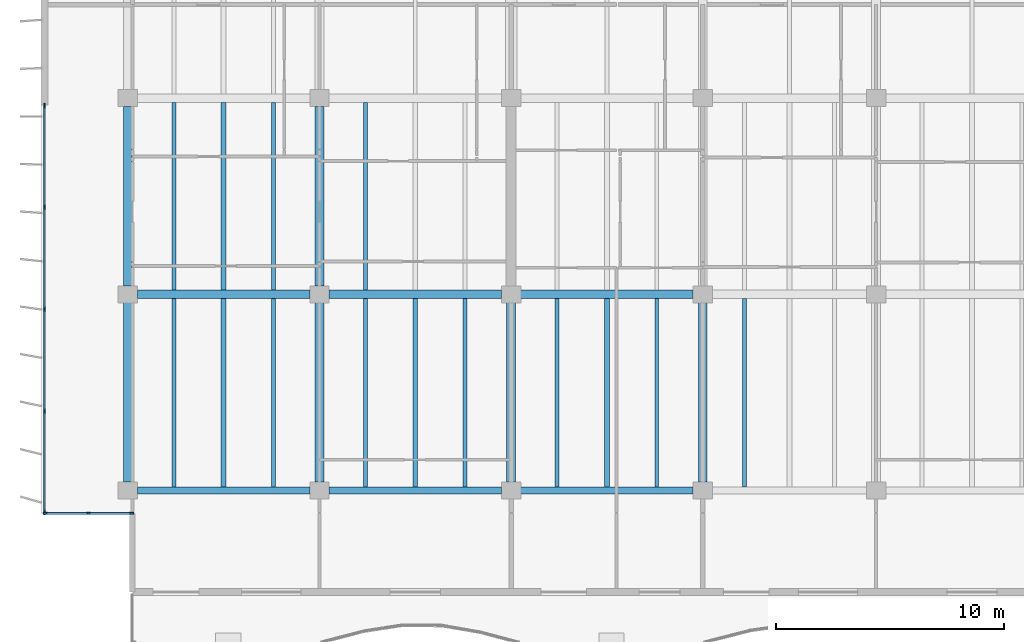
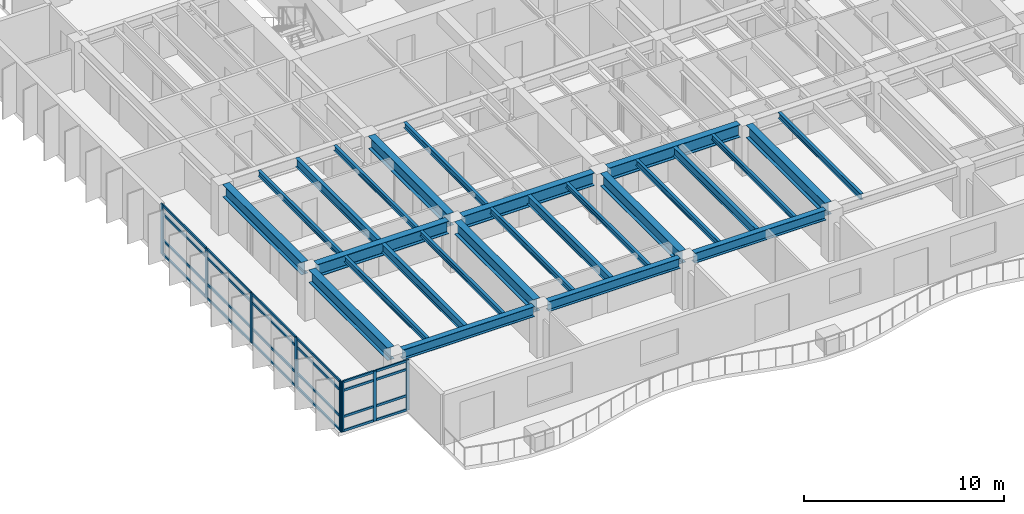
# One storey, part 2 of 19: 32 members, 26 beams, 2 elements without a shape of their own.
"""IFC4 building model written with IfcOpenShell, lengths in metres."""

import ifcopenshell
import ifcopenshell.guid

model = None  # the IFC model being written
_history = None  # IfcOwnerHistory: only IFC2X3 demands one
_inside = {}  # id of a spatial element -> (the spatial element, [elements in it])
_under = {}  # id of a project, library or spatial element -> (it, [spatial elements below it])
_declared = {}  # id of a project -> (the project, [libraries it declares])
_typed = {}  # id of a type object -> (the type object, [elements of that type])
_made_of = {}  # id of a material, layer set ... -> (it, [elements and type objects made of it])


def new_model(schema):
    """Start an empty IFC model of exactly this schema.

    Asked for "IFC4X3", IfcOpenShell would pick the latest addendum, in which some entities
    have other attributes; the version numbers below select the first issue.
    IFC2X3 requires an IfcOwnerHistory on every rooted entity: one is made here for all.
    """
    global model, _history
    if schema == "IFC4X3":
        model = ifcopenshell.file(schema_version=(4, 3, 0, 0))
    else:
        model = ifcopenshell.file(schema=schema)
    _inside.clear()
    _under.clear()
    _declared.clear()
    _typed.clear()
    _made_of.clear()
    _history = None
    if model.schema == "IFC2X3":
        org = make("IfcOrganization", Name="unknown")
        user = make(
            "IfcPersonAndOrganization",
            ThePerson=make("IfcPerson", FamilyName="unknown"),
            TheOrganization=org,
        )
        app = make(
            "IfcApplication",
            ApplicationDeveloper=org,
            Version="unknown",
            ApplicationFullName="unknown",
            ApplicationIdentifier="unknown",
        )
        _history = make(
            "IfcOwnerHistory",
            OwningUser=user,
            OwningApplication=app,
            ChangeAction="ADDED",
            CreationDate=0,
        )
    return model


def make(cls, **values):
    """One entity of the class cls with the attributes given. An attribute that is None is left unset."""
    return model.create_entity(
        cls, **{name: value for name, value in values.items() if value is not None}
    )


def rooted(cls, **values):
    """An entity with a GlobalId (a new one), such as an element, a storey or a relation."""
    return make(cls, GlobalId=ifcopenshell.guid.new(), OwnerHistory=_history, **values)


def si_unit(unit_type, name, prefix=None):
    """IfcSIUnit, for example si_unit("LENGTHUNIT", "METRE", prefix="MILLI")."""
    return make("IfcSIUnit", UnitType=unit_type, Prefix=prefix, Name=name)


def assignment(units):
    """IfcUnitAssignment: the units of a project."""
    return None if units is None else make("IfcUnitAssignment", Units=units)


def point(xyz):
    """IfcCartesianPoint."""
    return None if xyz is None else make("IfcCartesianPoint", Coordinates=xyz)


def direction(xyz):
    """IfcDirection."""
    return None if xyz is None else make("IfcDirection", DirectionRatios=xyz)


def frame(location, z_axis=None, x_axis=None):
    """IfcAxis2Placement3D, a coordinate frame: its origin and axes. An axis left out is left unset."""
    return make(
        "IfcAxis2Placement3D",
        Location=point(location),
        Axis=direction(z_axis),
        RefDirection=direction(x_axis),
    )


def frame_2d(location, x_axis=None):
    """IfcAxis2Placement2D, a coordinate frame in the plane: its origin and x axis."""
    return make(
        "IfcAxis2Placement2D", Location=point(location), RefDirection=direction(x_axis)
    )


def origin():
    """The frame at (0, 0, 0) with its axes left unset."""
    return frame((0.0, 0.0, 0.0))


def origin_2d():
    """The frame at (0, 0) in the plane with its x axis left unset."""
    return frame_2d((0.0, 0.0))


def place(relative_to, where):
    """IfcLocalPlacement: puts the frame where relative to a parent placement (None: the world)."""
    return make(
        "IfcLocalPlacement", PlacementRelTo=relative_to, RelativePlacement=where
    )


def context(
    kind, dimensions, precision=None, world=None, true_north=None, identifier=None
):
    """IfcGeometricRepresentationContext, for example the 3D "Model" context."""
    return make(
        "IfcGeometricRepresentationContext",
        ContextIdentifier=identifier,
        ContextType=kind,
        CoordinateSpaceDimension=dimensions,
        Precision=precision,
        WorldCoordinateSystem=world,
        TrueNorth=true_north,
    )


def subcontext(parent, identifier, kind, view, scale=None):
    """IfcGeometricRepresentationSubContext, for example "Body" below "Model"."""
    return make(
        "IfcGeometricRepresentationSubContext",
        ContextIdentifier=identifier,
        ContextType=kind,
        ParentContext=parent,
        TargetScale=scale,
        TargetView=view,
    )


def project(units=None, contexts=None):
    """IfcProject with its units and contexts."""
    return rooted(
        "IfcProject",
        Name="project",
        RepresentationContexts=contexts,
        UnitsInContext=assignment(units),
    )


def spatial(cls, under=None, at=None, **own):
    """A site, building, storey or space (cls), placed at a placement, below another one or the project."""
    s = rooted(cls, ObjectPlacement=at, **own)
    if under is not None:
        _under.setdefault(under.id(), (under, []))[1].append(s)
    return s


def profile(cls, at=None, kind="AREA", **sizes):
    """A parametric profile (cls). Its sizes go by their IFC names, for example OverallWidth=200.0."""
    return make(cls, ProfileType=kind, Position=at, **sizes)


def rectangle(**sizes):
    """IfcRectangleProfileDef."""
    return profile("IfcRectangleProfileDef", **sizes)


def i_section(**sizes):
    """IfcIShapeProfileDef."""
    return profile("IfcIShapeProfileDef", **sizes)


def extrude(swept, where, along, depth):
    """IfcExtrudedAreaSolid: the profile swept, set in the frame where, extruded along a direction by depth."""
    return make(
        "IfcExtrudedAreaSolid",
        SweptArea=swept,
        Position=where,
        ExtrudedDirection=direction(along),
        Depth=depth,
    )


def shape(context_of_items, identifier, shape_type, items):
    """IfcShapeRepresentation: the items that make up one representation, for example the "Body"."""
    return make(
        "IfcShapeRepresentation",
        ContextOfItems=context_of_items,
        RepresentationIdentifier=identifier,
        RepresentationType=shape_type,
        Items=items,
    )


def material(Name=None, Category=None):
    """IfcMaterial."""
    return make("IfcMaterial", Name=Name, Category=Category)


def layer(
    of_material, thickness, ventilated=None, Name=None, Category=None, Priority=None
):
    """IfcMaterialLayer: one layer of a wall or slab, of a material (None: an air gap)."""
    return make(
        "IfcMaterialLayer",
        Material=of_material,
        LayerThickness=thickness,
        IsVentilated=ventilated,
        Name=Name,
        Category=Category,
        Priority=Priority,
    )


def layer_set(layers, Name=None):
    """IfcMaterialLayerSet."""
    return make("IfcMaterialLayerSet", MaterialLayers=layers, LayerSetName=Name)


def material_profile(
    of_material, cross_section, Name=None, Category=None, Priority=None
):
    """IfcMaterialProfile: a cross section and its material."""
    return make(
        "IfcMaterialProfile",
        Name=Name,
        Material=of_material,
        Profile=cross_section,
        Priority=Priority,
        Category=Category,
    )


def profile_set(profiles, Name=None, composite=None):
    """IfcMaterialProfileSet."""
    return make(
        "IfcMaterialProfileSet",
        Name=Name,
        MaterialProfiles=profiles,
        CompositeProfile=composite,
    )


def made_of(thing, what):
    """Note that an element or type object is made of a material, layer set ...; save() writes the relation."""
    if what is not None:
        _made_of.setdefault(what.id(), (what, []))[1].append(thing)
    return thing


def type_object(cls, material=None, **own):
    """A type object (cls), such as IfcWallType, which elements share."""
    return made_of(rooted(cls, **own), material)


def element(
    cls,
    number,
    at=None,
    inside=None,
    cuts=None,
    type_object=None,
    material=None,
    context=None,
    identifier="Body",
    shape_type=None,
    held_by="IfcProductDefinitionShape",
    body=None,
    shapes=None,
    **own,
):
    """One element of the class cls, such as IfcWall. Its Tag is "e" and its number.

    at: its placement. inside: the storey or other place that contains it. cuts: it is an
    opening in that element (IfcRelVoidsElement). A single representation is given by context,
    identifier, shape_type and body (its items); several are given by shapes. held_by: the class
    of the entity that holds the representations. save() writes the other relations.
    """
    e = rooted(cls, Tag="e%d" % number, ObjectPlacement=at, **own)
    if body is not None:
        shapes = [shape(context, identifier, shape_type, body)]
    if shapes is not None:
        e.Representation = make(held_by, Representations=shapes)
    if inside is not None:
        _inside.setdefault(inside.id(), (inside, []))[1].append(e)
    if cuts is not None:
        rooted(
            "IfcRelVoidsElement", RelatingBuildingElement=cuts, RelatedOpeningElement=e
        )
    if type_object is not None:
        _typed.setdefault(type_object.id(), (type_object, []))[1].append(e)
    return made_of(e, material)


def aggregate(whole, parts):
    """IfcRelAggregates: a whole, such as a stair, and the parts it consists of."""
    return rooted("IfcRelAggregates", RelatingObject=whole, RelatedObjects=parts)


def save(model, path):
    """Write the relations noted so far, then the file.

    IfcRelAggregates (storeys below a building ...), IfcRelContainedInSpatialStructure (elements
    in a storey), IfcRelDefinesByType, IfcRelAssociatesMaterial and IfcRelDeclares: one each for
    every whole, place, type object, material and project.
    """
    for whole, parts in _under.values():
        aggregate(whole, parts)
    for where, things in _inside.values():
        rooted(
            "IfcRelContainedInSpatialStructure",
            RelatedElements=things,
            RelatingStructure=where,
        )
    for kind, things in _typed.values():
        rooted("IfcRelDefinesByType", RelatedObjects=things, RelatingType=kind)
    for what, things in _made_of.values():
        rooted("IfcRelAssociatesMaterial", RelatedObjects=things, RelatingMaterial=what)
    for by, libraries in _declared.values():
        rooted("IfcRelDeclares", RelatingContext=by, RelatedDefinitions=libraries)
    model.write(path)


model = new_model("IFC4")

# Units and contexts
model_context = context("Model", 3, precision=1e-05, world=origin(), true_north=direction((0.0, 1.0)))
body_context = subcontext(model_context, "Body", "Model", "MODEL_VIEW")
ifc_project = project(units=[si_unit("LENGTHUNIT", "METRE"), si_unit("AREAUNIT", "SQUARE_METRE"), si_unit("VOLUMEUNIT", "CUBIC_METRE"), si_unit("PLANEANGLEUNIT", "RADIAN"), si_unit("MASSUNIT", "GRAM", prefix="KILO")], contexts=[model_context])

# Site, building, storey
site_placement = place(None, origin())
site = spatial("IfcSite", under=ifc_project, at=site_placement, CompositionType="ELEMENT")
building_placement = place(site_placement, origin())
building = spatial("IfcBuilding", under=site, at=building_placement, Name="Caelmar Bay Residences", CompositionType="ELEMENT")
storey_placement = place(building_placement, frame((0.0, 0.0, 191.699951171875)))
storey = spatial("IfcBuildingStorey", under=building, at=storey_placement, Name="L53", CompositionType="ELEMENT", Elevation=191.699951171875)

# Beams
ifc_material_1 = material(Name="Steel ASTM A992 Grade 50", Category="steel")
ifc_material_profile_1 = material_profile(ifc_material_1, i_section(OverallWidth=0.381103515625, OverallDepth=0.77197265625, WebThickness=0.0166015625, FlangeThickness=0.027099609375, FilletRadius=0.0166015625, at=origin_2d()), Name="W30X173")
ifc_profile_set_1 = profile_set([ifc_material_profile_1], Name="Steel ASTM A992 Grade 50")
beam_type_1 = type_object("IfcBeamType", Name="BM-GRD-W30X173", PredefinedType="BEAM", material=ifc_profile_set_1)
beam_1_placement = place(storey_placement, frame((10.31494140625, 20.800048828125, 2.6640625), z_axis=(1.0, 0.0, 0.0), x_axis=(0.0, 1.0, 0.0)))
element("IfcBeam", 1, at=beam_1_placement, inside=storey, type_object=beam_type_1, Name="L53 East-West Girder Y=20.80 (9.9-18.3)", PredefinedType="BEAM", context=body_context, shape_type="SweptSolid", body=[
    extrude(i_section(OverallWidth=0.381103515625, OverallDepth=0.77197265625, WebThickness=0.0166015625, FlangeThickness=0.027099609375, FilletRadius=0.0166015625, at=origin_2d()), origin(), (0.0, 0.0, 1.0), 7.570068359375),
])
beam_2_placement = place(storey_placement, frame((18.715087890625, 20.800048828125, 2.6640625), z_axis=(1.0, 0.0, 0.0), x_axis=(0.0, 1.0, 0.0)))
element("IfcBeam", 2, at=beam_2_placement, inside=storey, type_object=beam_type_1, Name="L53 East-West Girder Y=20.80 (18.3-26.7)", PredefinedType="BEAM", context=body_context, shape_type="SweptSolid", body=[
    extrude(i_section(OverallWidth=0.381103515625, OverallDepth=0.77197265625, WebThickness=0.0166015625, FlangeThickness=0.027099609375, FilletRadius=0.0166015625, at=origin_2d()), origin(), (0.0, 0.0, 1.0), 7.56982421875),
])
beam_3_placement = place(storey_placement, frame((27.114990234375, 20.800048828125, 2.6640625), z_axis=(1.0, 0.0, 0.0), x_axis=(0.0, 1.0, 0.0)))
element("IfcBeam", 3, at=beam_3_placement, inside=storey, type_object=beam_type_1, Name="L53 East-West Girder Y=20.80 (26.7-35.1)", PredefinedType="BEAM", context=body_context, shape_type="SweptSolid", body=[
    extrude(i_section(OverallWidth=0.381103515625, OverallDepth=0.77197265625, WebThickness=0.0166015625, FlangeThickness=0.027099609375, FilletRadius=0.0166015625, at=origin_2d()), origin(), (0.0, 0.0, 1.0), 7.570068359375),
])
beam_4_placement = place(storey_placement, frame((9.89990234375, 12.56494140625, 2.6640625), z_axis=(0.0, 1.0, 0.0), x_axis=(-1.0, 0.0, 0.0)))
element("IfcBeam", 4, at=beam_4_placement, inside=storey, type_object=beam_type_1, Name="L53 North-South Girder X=9.90 (12.2-20.8)", PredefinedType="BEAM", context=body_context, shape_type="SweptSolid", body=[
    extrude(i_section(OverallWidth=0.381103515625, OverallDepth=0.77197265625, WebThickness=0.0166015625, FlangeThickness=0.027099609375, FilletRadius=0.0166015625, at=origin_2d()), origin(), (0.0, 0.0, 1.0), 7.8701171875),
])
beam_5_placement = place(storey_placement, frame((9.89990234375, 21.1650390625, 2.6640625), z_axis=(0.0, 1.0, 0.0), x_axis=(-1.0, 0.0, 0.0)))
element("IfcBeam", 5, at=beam_5_placement, inside=storey, type_object=beam_type_1, Name="L53 North-South Girder X=9.90 (20.8-29.4)", PredefinedType="BEAM", context=body_context, shape_type="SweptSolid", body=[
    extrude(i_section(OverallWidth=0.381103515625, OverallDepth=0.77197265625, WebThickness=0.0166015625, FlangeThickness=0.027099609375, FilletRadius=0.0166015625, at=origin_2d()), origin(), (0.0, 0.0, 1.0), 7.869873046875),
])
beam_6_placement = place(storey_placement, frame((18.300048828125, 12.56494140625, 2.6640625), z_axis=(0.0, 1.0, 0.0), x_axis=(-1.0, 0.0, 0.0)))
element("IfcBeam", 6, at=beam_6_placement, inside=storey, type_object=beam_type_1, Name="L53 North-South Girder X=18.30 (12.2-20.8)", PredefinedType="BEAM", context=body_context, shape_type="SweptSolid", body=[
    extrude(i_section(OverallWidth=0.381103515625, OverallDepth=0.77197265625, WebThickness=0.0166015625, FlangeThickness=0.027099609375, FilletRadius=0.0166015625, at=origin_2d()), origin(), (0.0, 0.0, 1.0), 7.8701171875),
])
beam_7_placement = place(storey_placement, frame((18.300048828125, 21.1650390625, 2.6640625), z_axis=(0.0, 1.0, 0.0), x_axis=(-1.0, 0.0, 0.0)))
element("IfcBeam", 7, at=beam_7_placement, inside=storey, type_object=beam_type_1, Name="L53 North-South Girder X=18.30 (20.8-29.4)", PredefinedType="BEAM", context=body_context, shape_type="SweptSolid", body=[
    extrude(i_section(OverallWidth=0.381103515625, OverallDepth=0.77197265625, WebThickness=0.0166015625, FlangeThickness=0.027099609375, FilletRadius=0.0166015625, at=origin_2d()), origin(), (0.0, 0.0, 1.0), 7.869873046875),
])
for number, where, z_axis, x_axis, name in (
    (8, (26.699951171875, 12.56494140625, 2.6640625), (0.0, 1.0, 0.0), (-1.0, 0.0, 0.0), "L53 North-South Girder X=26.70 (12.2-20.8)"),
    (9, (35.10009765625, 12.56494140625, 2.6640625), (0.0, 1.0, 0.0), (-1.0, 0.0, 0.0), "L53 North-South Girder X=35.10 (12.2-20.8)"),
):
    element("IfcBeam", number, at=place(storey_placement, frame(where, z_axis=z_axis, x_axis=x_axis)), inside=storey, type_object=beam_type_1, Name=name, PredefinedType="BEAM", context=body_context, shape_type="SweptSolid", body=[
        extrude(i_section(OverallWidth=0.381103515625, OverallDepth=0.77197265625, WebThickness=0.0166015625, FlangeThickness=0.027099609375, FilletRadius=0.0166015625, at=origin_2d()), origin(), (0.0, 0.0, 1.0), 7.8701171875),
    ])
ifc_material_profile_2 = material_profile(ifc_material_1, i_section(OverallWidth=0.1650390625, OverallDepth=0.31005859375, WebThickness=0.005859375, FlangeThickness=0.009765625, FilletRadius=0.007568359375, at=origin_2d()), Name="W12X26")
ifc_profile_set_2 = profile_set([ifc_material_profile_2], Name="Steel ASTM A992 Grade 50")
beam_type_2 = type_object("IfcBeamType", Name="BM-JST-W12X26", PredefinedType="JOIST", material=ifc_profile_set_2)
for number, where, z_axis, x_axis, name in (
    (10, (16.283935546875, 12.362548828125, 2.89501953125), (0.0, 1.0, 0.0), (-1.0, 0.0, 0.0), "L53 Composite Floor Joist 3"),
    (11, (24.68408203125, 12.362548828125, 2.89501953125), (0.0, 1.0, 0.0), (-1.0, 0.0, 0.0), "L53 Composite Floor Joist 6"),
    (12, (33.083984375, 12.362548828125, 2.89501953125), (0.0, 1.0, 0.0), (-1.0, 0.0, 0.0), "L53 Composite Floor Joist 9"),
):
    element("IfcBeam", number, at=place(storey_placement, frame(where, z_axis=z_axis, x_axis=x_axis)), inside=storey, type_object=beam_type_2, Name=name, PredefinedType="JOIST", context=body_context, shape_type="SweptSolid", body=[
        extrude(i_section(OverallWidth=0.1650390625, OverallDepth=0.31005859375, WebThickness=0.005859375, FlangeThickness=0.009765625, FilletRadius=0.007568359375, at=origin_2d()), origin(), (0.0, 0.0, 1.0), 8.2470703125),
    ])
beam_8_placement = place(storey_placement, frame((16.283935546875, 20.990478515625, 2.89501953125), z_axis=(0.0, 1.0, 0.0), x_axis=(-1.0, 0.0, 0.0)))
element("IfcBeam", 13, at=beam_8_placement, inside=storey, type_object=beam_type_2, Name="L53 Composite Floor Joist 24", PredefinedType="JOIST", context=body_context, shape_type="SweptSolid", body=[
    extrude(i_section(OverallWidth=0.1650390625, OverallDepth=0.31005859375, WebThickness=0.005859375, FlangeThickness=0.009765625, FilletRadius=0.007568359375, at=origin_2d()), origin(), (0.0, 0.0, 1.0), 8.218994140625),
])
ifc_material_profile_3 = material_profile(ifc_material_1, i_section(OverallWidth=0.1708984375, OverallDepth=0.35595703125, WebThickness=0.007080078125, FlangeThickness=0.01171875, FilletRadius=0.007568359375, at=origin_2d()), Name="W14X34")
ifc_profile_set_3 = profile_set([ifc_material_profile_3], Name="Steel ASTM A992 Grade 50")
beam_type_3 = type_object("IfcBeamType", Name="BM-JST-W14X34", PredefinedType="JOIST", material=ifc_profile_set_3)
for number, where, z_axis, x_axis, name in (
    (14, (11.916015625, 12.362548828125, 2.8720703125), (0.0, 1.0, 0.0), (-1.0, 0.0, 0.0), "L53 Composite Floor Joist 1"),
    (15, (20.31591796875, 12.362548828125, 2.8720703125), (0.0, 1.0, 0.0), (-1.0, 0.0, 0.0), "L53 Composite Floor Joist 4"),
    (16, (28.716064453125, 12.362548828125, 2.8720703125), (0.0, 1.0, 0.0), (-1.0, 0.0, 0.0), "L53 Composite Floor Joist 7"),
    (17, (36.924072265625, 12.362548828125, 2.8720703125), (0.0, 1.0, 0.0), (-1.0, 0.0, 0.0), "L53 Composite Floor Joist 10"),
):
    element("IfcBeam", number, at=place(storey_placement, frame(where, z_axis=z_axis, x_axis=x_axis)), inside=storey, type_object=beam_type_3, Name=name, PredefinedType="JOIST", context=body_context, shape_type="SweptSolid", body=[
        extrude(i_section(OverallWidth=0.1708984375, OverallDepth=0.35595703125, WebThickness=0.007080078125, FlangeThickness=0.01171875, FilletRadius=0.007568359375, at=origin_2d()), origin(), (0.0, 0.0, 1.0), 8.2470703125),
    ])
for number, where, z_axis, x_axis, name in (
    (18, (11.916015625, 20.990478515625, 2.8720703125), (0.0, 1.0, 0.0), (-1.0, 0.0, 0.0), "L53 Composite Floor Joist 22"),
    (19, (20.31591796875, 20.990478515625, 2.8720703125), (0.0, 1.0, 0.0), (-1.0, 0.0, 0.0), "L53 Composite Floor Joist 25"),
):
    element("IfcBeam", number, at=place(storey_placement, frame(where, z_axis=z_axis, x_axis=x_axis)), inside=storey, type_object=beam_type_3, Name=name, PredefinedType="JOIST", context=body_context, shape_type="SweptSolid", body=[
        extrude(i_section(OverallWidth=0.1708984375, OverallDepth=0.35595703125, WebThickness=0.007080078125, FlangeThickness=0.01171875, FilletRadius=0.007568359375, at=origin_2d()), origin(), (0.0, 0.0, 1.0), 8.218994140625),
    ])
ifc_material_profile_4 = material_profile(ifc_material_1, i_section(OverallWidth=0.2099609375, OverallDepth=0.535888671875, WebThickness=0.010986328125, FlangeThickness=0.017333984375, FilletRadius=0.0126953125, at=origin_2d()), Name="W21X68")
ifc_profile_set_4 = profile_set([ifc_material_profile_4], Name="Steel ASTM A992 Grade 50")
beam_type_4 = type_object("IfcBeamType", Name="BM-JST-W21X68", PredefinedType="JOIST", material=ifc_profile_set_4)
for number, where, z_axis, x_axis, name in (
    (20, (14.10009765625, 12.362548828125, 2.781982421875), (0.0, 1.0, 0.0), (-1.0, 0.0, 0.0), "L53 Composite Floor Joist 2"),
    (21, (22.5, 12.362548828125, 2.781982421875), (0.0, 1.0, 0.0), (-1.0, 0.0, 0.0), "L53 Composite Floor Joist 5"),
    (22, (30.89990234375, 12.362548828125, 2.781982421875), (0.0, 1.0, 0.0), (-1.0, 0.0, 0.0), "L53 Composite Floor Joist 8"),
):
    element("IfcBeam", number, at=place(storey_placement, frame(where, z_axis=z_axis, x_axis=x_axis)), inside=storey, type_object=beam_type_4, Name=name, PredefinedType="JOIST", context=body_context, shape_type="SweptSolid", body=[
        extrude(i_section(OverallWidth=0.2099609375, OverallDepth=0.535888671875, WebThickness=0.010986328125, FlangeThickness=0.017333984375, FilletRadius=0.0126953125, at=origin_2d()), origin(), (0.0, 0.0, 1.0), 8.2470703125),
    ])
beam_9_placement = place(storey_placement, frame((14.10009765625, 20.990478515625, 2.781982421875), z_axis=(0.0, 1.0, 0.0), x_axis=(-1.0, 0.0, 0.0)))
element("IfcBeam", 23, at=beam_9_placement, inside=storey, type_object=beam_type_4, Name="L53 Composite Floor Joist 23", PredefinedType="JOIST", context=body_context, shape_type="SweptSolid", body=[
    extrude(i_section(OverallWidth=0.2099609375, OverallDepth=0.535888671875, WebThickness=0.010986328125, FlangeThickness=0.017333984375, FilletRadius=0.0126953125, at=origin_2d()), origin(), (0.0, 0.0, 1.0), 8.218994140625),
])
ifc_material_profile_5 = material_profile(ifc_material_1, i_section(OverallWidth=0.324951171875, OverallDepth=0.616943359375, WebThickness=0.013916015625, FlangeThickness=0.021484375, FilletRadius=0.0126953125, at=origin_2d()), Name="W24X117")
ifc_profile_set_5 = profile_set([ifc_material_profile_5], Name="Steel ASTM A992 Grade 50")
beam_type_5 = type_object("IfcBeamType", Name="BM-SPN-W24X117", PredefinedType="SPANDREL", material=ifc_profile_set_5)
beam_10_placement = place(storey_placement, frame((10.31494140625, 12.199951171875, 2.741455078125), z_axis=(1.0, 0.0, 0.0), x_axis=(0.0, 1.0, 0.0)))
element("IfcBeam", 24, at=beam_10_placement, inside=storey, type_object=beam_type_5, Name="L53 East-West Girder Y=12.20 (9.9-18.3)", PredefinedType="SPANDREL", context=body_context, shape_type="SweptSolid", body=[
    extrude(i_section(OverallWidth=0.324951171875, OverallDepth=0.616943359375, WebThickness=0.013916015625, FlangeThickness=0.021484375, FilletRadius=0.0126953125, at=origin_2d()), origin(), (0.0, 0.0, 1.0), 7.570068359375),
])
beam_11_placement = place(storey_placement, frame((18.715087890625, 12.199951171875, 2.741455078125), z_axis=(1.0, 0.0, 0.0), x_axis=(0.0, 1.0, 0.0)))
element("IfcBeam", 25, at=beam_11_placement, inside=storey, type_object=beam_type_5, Name="L53 East-West Girder Y=12.20 (18.3-26.7)", PredefinedType="SPANDREL", context=body_context, shape_type="SweptSolid", body=[
    extrude(i_section(OverallWidth=0.324951171875, OverallDepth=0.616943359375, WebThickness=0.013916015625, FlangeThickness=0.021484375, FilletRadius=0.0126953125, at=origin_2d()), origin(), (0.0, 0.0, 1.0), 7.56982421875),
])
beam_12_placement = place(storey_placement, frame((27.114990234375, 12.199951171875, 2.741455078125), z_axis=(1.0, 0.0, 0.0), x_axis=(0.0, 1.0, 0.0)))
element("IfcBeam", 26, at=beam_12_placement, inside=storey, type_object=beam_type_5, Name="L53 East-West Girder Y=12.20 (26.7-35.1)", PredefinedType="SPANDREL", context=body_context, shape_type="SweptSolid", body=[
    extrude(i_section(OverallWidth=0.324951171875, OverallDepth=0.616943359375, WebThickness=0.013916015625, FlangeThickness=0.021484375, FilletRadius=0.0126953125, at=origin_2d()), origin(), (0.0, 0.0, 1.0), 7.570068359375),
])

# Curtain wall, members
ifc_material_2 = material(Name="Anodised bronze aluminium 6063-T6 and laminated glass", Category="aluminium")
ifc_layer_1 = layer(ifc_material_2, 0.179931640625)
ifc_layer_set_1 = layer_set([ifc_layer_1], Name="Anodised bronze aluminium 6063-T6 and laminated glass")
curtain_wall_type_1 = type_object("IfcCurtainWallType", Name="CW6-NTC", PredefinedType="NOTDEFINED", material=ifc_layer_set_1)
curtain_wall_1_placement = place(storey_placement, origin())
curtain_wall_1 = element("IfcCurtainWall", 27, at=curtain_wall_1_placement, inside=storey, type_object=curtain_wall_type_1, Name="CW6 curtain wall L53", PredefinedType="NOTDEFINED")
ifc_material_3 = material(Name="Anodised bronze aluminium 6063-T6", Category="aluminium")
ifc_material_profile_6 = material_profile(ifc_material_3, rectangle(XDim=0.080078125, YDim=0.179931640625, at=origin_2d()), Name="CWM-80X180")
ifc_profile_set_6 = profile_set([ifc_material_profile_6], Name="Anodised bronze aluminium 6063-T6")
member_type_1 = type_object("IfcMemberType", Name="CWM-180", PredefinedType="MULLION", material=ifc_profile_set_6)
member_1_placement = place(storey_placement, frame((6.2900390625, 11.199951171875, 0.0), z_axis=(0.0, 0.0, 1.0), x_axis=(0.0, 1.0, 0.0)))
member_1 = element("IfcMember", 28, at=member_1_placement, type_object=member_type_1, Name="CW6 mullion 1", PredefinedType="MULLION", context=body_context, shape_type="SweptSolid", body=[
    extrude(rectangle(XDim=0.080078125, YDim=0.179931640625, at=origin_2d()), origin(), (0.0, 0.0, 1.0), 3.050048828125),
])
member_2_placement = place(storey_placement, frame((8.175048828125, 11.199951171875, 0.0), z_axis=(0.0, 0.0, 1.0), x_axis=(0.0, 1.0, 0.0)))
member_2 = element("IfcMember", 29, at=member_2_placement, type_object=member_type_1, Name="CW6 mullion 2", PredefinedType="MULLION", context=body_context, shape_type="SweptSolid", body=[
    extrude(rectangle(XDim=0.080078125, YDim=0.179931640625, at=origin_2d()), origin(), (0.0, 0.0, 1.0), 3.050048828125),
])
member_3_placement = place(storey_placement, frame((10.06005859375, 11.199951171875, 0.0), z_axis=(0.0, 0.0, 1.0), x_axis=(0.0, 1.0, 0.0)))
member_3 = element("IfcMember", 30, at=member_3_placement, type_object=member_type_1, Name="CW6 mullion 3", PredefinedType="MULLION", context=body_context, shape_type="SweptSolid", body=[
    extrude(rectangle(XDim=0.080078125, YDim=0.179931640625, at=origin_2d()), origin(), (0.0, 0.0, 1.0), 3.050048828125),
])

ifc_layer_2 = layer(ifc_material_2, 0.179931640625)
ifc_layer_set_2 = layer_set([ifc_layer_2], Name="Anodised bronze aluminium 6063-T6 and laminated glass")
curtain_wall_type_2 = type_object("IfcCurtainWallType", Name="CW4-Z3", PredefinedType="NOTDEFINED", material=ifc_layer_set_2)
curtain_wall_2_placement = place(storey_placement, origin())
curtain_wall_2 = element("IfcCurtainWall", 31, at=curtain_wall_2_placement, inside=storey, type_object=curtain_wall_type_2, Name="CW4 curtain wall L53", PredefinedType="NOTDEFINED")
ifc_material_profile_7 = material_profile(ifc_material_3, rectangle(XDim=0.080078125, YDim=0.219970703125, at=origin_2d()), Name="CWM-80X220")
ifc_profile_set_7 = profile_set([ifc_material_profile_7], Name="Anodised bronze aluminium 6063-T6")
member_type_2 = type_object("IfcMemberType", Name="CWM-220", PredefinedType="MULLION", material=ifc_profile_set_7)
member_4_placement = place(storey_placement, frame((6.25, 11.239990234375, 0.0), z_axis=(0.0, 0.0, 1.0), x_axis=(-1.0, 0.0, 0.0)))
member_4 = element("IfcMember", 32, at=member_4_placement, type_object=member_type_2, Name="CW4 mullion 1", PredefinedType="MULLION", context=body_context, shape_type="SweptSolid", body=[
    extrude(rectangle(XDim=0.080078125, YDim=0.219970703125, at=origin_2d()), origin(), (0.0, 0.0, 1.0), 3.050048828125),
])
member_5_placement = place(storey_placement, frame((6.25, 15.675048828125, 0.0), z_axis=(0.0, 0.0, 1.0), x_axis=(-1.0, 0.0, 0.0)))
member_5 = element("IfcMember", 33, at=member_5_placement, type_object=member_type_2, Name="CW4 mullion 2", PredefinedType="MULLION", context=body_context, shape_type="SweptSolid", body=[
    extrude(rectangle(XDim=0.080078125, YDim=0.219970703125, at=origin_2d()), origin(), (0.0, 0.0, 1.0), 3.050048828125),
])
member_6_placement = place(storey_placement, frame((6.25, 20.14990234375, 0.0), z_axis=(0.0, 0.0, 1.0), x_axis=(-1.0, 0.0, 0.0)))
member_6 = element("IfcMember", 34, at=member_6_placement, type_object=member_type_2, Name="CW4 mullion 3", PredefinedType="MULLION", context=body_context, shape_type="SweptSolid", body=[
    extrude(rectangle(XDim=0.080078125, YDim=0.219970703125, at=origin_2d()), origin(), (0.0, 0.0, 1.0), 3.050048828125),
])
member_7_placement = place(storey_placement, frame((6.25, 24.625, 0.0), z_axis=(0.0, 0.0, 1.0), x_axis=(-1.0, 0.0, 0.0)))
member_7 = element("IfcMember", 35, at=member_7_placement, type_object=member_type_2, Name="CW4 mullion 4", PredefinedType="MULLION", context=body_context, shape_type="SweptSolid", body=[
    extrude(rectangle(XDim=0.080078125, YDim=0.219970703125, at=origin_2d()), origin(), (0.0, 0.0, 1.0), 3.050048828125),
])
member_8_placement = place(storey_placement, frame((6.25, 29.06005859375, 0.0), z_axis=(0.0, 0.0, 1.0), x_axis=(-1.0, 0.0, 0.0)))
member_8 = element("IfcMember", 36, at=member_8_placement, type_object=member_type_2, Name="CW4 mullion 5", PredefinedType="MULLION", context=body_context, shape_type="SweptSolid", body=[
    extrude(rectangle(XDim=0.080078125, YDim=0.219970703125, at=origin_2d()), origin(), (0.0, 0.0, 1.0), 3.050048828125),
])

# Member
ifc_material_profile_8 = material_profile(ifc_material_3, rectangle(XDim=0.080078125, YDim=0.139892578125, at=origin_2d()), Name="CWT-80X140")
ifc_profile_set_8 = profile_set([ifc_material_profile_8], Name="Anodised bronze aluminium 6063-T6")
member_type_3 = type_object("IfcMemberType", Name="CWT-140", PredefinedType="NOTDEFINED", material=ifc_profile_set_8)
member_9_placement = place(storey_placement, frame((6.330078125, 11.199951171875, 0.0400390625), z_axis=(1.0, 0.0, 0.0), x_axis=(0.0, 1.0, 0.0)))
member_9 = element("IfcMember", 37, at=member_9_placement, type_object=member_type_3, Name="CW6 transom 1.1", ObjectType="TRANSOM", PredefinedType="USERDEFINED", context=body_context, shape_type="SweptSolid", body=[
    extrude(rectangle(XDim=0.080078125, YDim=0.139892578125, at=origin_2d()), origin(), (0.0, 0.0, 1.0), 1.804931640625),
])

member_10_placement = place(storey_placement, frame((6.330078125, 11.199951171875, 0.900146484375), z_axis=(1.0, 0.0, 0.0), x_axis=(0.0, 1.0, 0.0)))
member_10 = element("IfcMember", 38, at=member_10_placement, type_object=member_type_3, Name="CW6 transom 1.2", ObjectType="TRANSOM", PredefinedType="USERDEFINED", context=body_context, shape_type="SweptSolid", body=[
    extrude(rectangle(XDim=0.080078125, YDim=0.139892578125, at=origin_2d()), origin(), (0.0, 0.0, 1.0), 1.804931640625),
])

member_11_placement = place(storey_placement, frame((6.330078125, 11.199951171875, 2.5), z_axis=(1.0, 0.0, 0.0), x_axis=(0.0, 1.0, 0.0)))
member_11 = element("IfcMember", 39, at=member_11_placement, type_object=member_type_3, Name="CW6 transom 1.3", ObjectType="TRANSOM", PredefinedType="USERDEFINED", context=body_context, shape_type="SweptSolid", body=[
    extrude(rectangle(XDim=0.080078125, YDim=0.139892578125, at=origin_2d()), origin(), (0.0, 0.0, 1.0), 1.804931640625),
])

member_12_placement = place(storey_placement, frame((6.330078125, 11.199951171875, 3.010009765625), z_axis=(1.0, 0.0, 0.0), x_axis=(0.0, 1.0, 0.0)))
member_12 = element("IfcMember", 40, at=member_12_placement, type_object=member_type_3, Name="CW6 transom 1.4", ObjectType="TRANSOM", PredefinedType="USERDEFINED", context=body_context, shape_type="SweptSolid", body=[
    extrude(rectangle(XDim=0.080078125, YDim=0.139892578125, at=origin_2d()), origin(), (0.0, 0.0, 1.0), 1.804931640625),
])

member_13_placement = place(storey_placement, frame((8.215087890625, 11.199951171875, 0.0400390625), z_axis=(1.0, 0.0, 0.0), x_axis=(0.0, 1.0, 0.0)))
member_13 = element("IfcMember", 41, at=member_13_placement, type_object=member_type_3, Name="CW6 transom 2.1", ObjectType="TRANSOM", PredefinedType="USERDEFINED", context=body_context, shape_type="SweptSolid", body=[
    extrude(rectangle(XDim=0.080078125, YDim=0.139892578125, at=origin_2d()), origin(), (0.0, 0.0, 1.0), 1.804931640625),
])

member_14_placement = place(storey_placement, frame((8.215087890625, 11.199951171875, 0.900146484375), z_axis=(1.0, 0.0, 0.0), x_axis=(0.0, 1.0, 0.0)))
member_14 = element("IfcMember", 42, at=member_14_placement, type_object=member_type_3, Name="CW6 transom 2.2", ObjectType="TRANSOM", PredefinedType="USERDEFINED", context=body_context, shape_type="SweptSolid", body=[
    extrude(rectangle(XDim=0.080078125, YDim=0.139892578125, at=origin_2d()), origin(), (0.0, 0.0, 1.0), 1.804931640625),
])

member_15_placement = place(storey_placement, frame((8.215087890625, 11.199951171875, 2.5), z_axis=(1.0, 0.0, 0.0), x_axis=(0.0, 1.0, 0.0)))
member_15 = element("IfcMember", 43, at=member_15_placement, type_object=member_type_3, Name="CW6 transom 2.3", ObjectType="TRANSOM", PredefinedType="USERDEFINED", context=body_context, shape_type="SweptSolid", body=[
    extrude(rectangle(XDim=0.080078125, YDim=0.139892578125, at=origin_2d()), origin(), (0.0, 0.0, 1.0), 1.804931640625),
])

member_16_placement = place(storey_placement, frame((8.215087890625, 11.199951171875, 3.010009765625), z_axis=(1.0, 0.0, 0.0), x_axis=(0.0, 1.0, 0.0)))
member_16 = element("IfcMember", 44, at=member_16_placement, type_object=member_type_3, Name="CW6 transom 2.4", ObjectType="TRANSOM", PredefinedType="USERDEFINED", context=body_context, shape_type="SweptSolid", body=[
    extrude(rectangle(XDim=0.080078125, YDim=0.139892578125, at=origin_2d()), origin(), (0.0, 0.0, 1.0), 1.804931640625),
])

aggregate(curtain_wall_1, [member_1, member_2, member_3, member_9, member_10, member_11, member_12, member_13, member_14, member_15, member_16])

member_17_placement = place(storey_placement, frame((6.25, 11.280029296875, 0.0400390625), z_axis=(0.0, 1.0, 0.0), x_axis=(-1.0, 0.0, 0.0)))
member_17 = element("IfcMember", 45, at=member_17_placement, type_object=member_type_3, Name="CW4 transom 1.1", ObjectType="TRANSOM", PredefinedType="USERDEFINED", context=body_context, shape_type="SweptSolid", body=[
    extrude(rectangle(XDim=0.080078125, YDim=0.139892578125, at=origin_2d()), origin(), (0.0, 0.0, 1.0), 4.35498046875),
])

member_18_placement = place(storey_placement, frame((6.25, 11.280029296875, 0.900146484375), z_axis=(0.0, 1.0, 0.0), x_axis=(-1.0, 0.0, 0.0)))
member_18 = element("IfcMember", 46, at=member_18_placement, type_object=member_type_3, Name="CW4 transom 1.2", ObjectType="TRANSOM", PredefinedType="USERDEFINED", context=body_context, shape_type="SweptSolid", body=[
    extrude(rectangle(XDim=0.080078125, YDim=0.139892578125, at=origin_2d()), origin(), (0.0, 0.0, 1.0), 4.35498046875),
])

member_19_placement = place(storey_placement, frame((6.25, 11.280029296875, 2.5), z_axis=(0.0, 1.0, 0.0), x_axis=(-1.0, 0.0, 0.0)))
member_19 = element("IfcMember", 47, at=member_19_placement, type_object=member_type_3, Name="CW4 transom 1.3", ObjectType="TRANSOM", PredefinedType="USERDEFINED", context=body_context, shape_type="SweptSolid", body=[
    extrude(rectangle(XDim=0.080078125, YDim=0.139892578125, at=origin_2d()), origin(), (0.0, 0.0, 1.0), 4.35498046875),
])

member_20_placement = place(storey_placement, frame((6.25, 11.280029296875, 3.010009765625), z_axis=(0.0, 1.0, 0.0), x_axis=(-1.0, 0.0, 0.0)))
member_20 = element("IfcMember", 48, at=member_20_placement, type_object=member_type_3, Name="CW4 transom 1.4", ObjectType="TRANSOM", PredefinedType="USERDEFINED", context=body_context, shape_type="SweptSolid", body=[
    extrude(rectangle(XDim=0.080078125, YDim=0.139892578125, at=origin_2d()), origin(), (0.0, 0.0, 1.0), 4.35498046875),
])

member_21_placement = place(storey_placement, frame((6.25, 15.715087890625, 0.0400390625), z_axis=(0.0, 1.0, 0.0), x_axis=(-1.0, 0.0, 0.0)))
member_21 = element("IfcMember", 49, at=member_21_placement, type_object=member_type_3, Name="CW4 transom 2.1", ObjectType="TRANSOM", PredefinedType="USERDEFINED", context=body_context, shape_type="SweptSolid", body=[
    extrude(rectangle(XDim=0.080078125, YDim=0.139892578125, at=origin_2d()), origin(), (0.0, 0.0, 1.0), 4.39501953125),
])

member_22_placement = place(storey_placement, frame((6.25, 15.715087890625, 0.900146484375), z_axis=(0.0, 1.0, 0.0), x_axis=(-1.0, 0.0, 0.0)))
member_22 = element("IfcMember", 50, at=member_22_placement, type_object=member_type_3, Name="CW4 transom 2.2", ObjectType="TRANSOM", PredefinedType="USERDEFINED", context=body_context, shape_type="SweptSolid", body=[
    extrude(rectangle(XDim=0.080078125, YDim=0.139892578125, at=origin_2d()), origin(), (0.0, 0.0, 1.0), 4.39501953125),
])

member_23_placement = place(storey_placement, frame((6.25, 15.715087890625, 2.5), z_axis=(0.0, 1.0, 0.0), x_axis=(-1.0, 0.0, 0.0)))
member_23 = element("IfcMember", 51, at=member_23_placement, type_object=member_type_3, Name="CW4 transom 2.3", ObjectType="TRANSOM", PredefinedType="USERDEFINED", context=body_context, shape_type="SweptSolid", body=[
    extrude(rectangle(XDim=0.080078125, YDim=0.139892578125, at=origin_2d()), origin(), (0.0, 0.0, 1.0), 4.39501953125),
])

member_24_placement = place(storey_placement, frame((6.25, 15.715087890625, 3.010009765625), z_axis=(0.0, 1.0, 0.0), x_axis=(-1.0, 0.0, 0.0)))
member_24 = element("IfcMember", 52, at=member_24_placement, type_object=member_type_3, Name="CW4 transom 2.4", ObjectType="TRANSOM", PredefinedType="USERDEFINED", context=body_context, shape_type="SweptSolid", body=[
    extrude(rectangle(XDim=0.080078125, YDim=0.139892578125, at=origin_2d()), origin(), (0.0, 0.0, 1.0), 4.39501953125),
])

member_25_placement = place(storey_placement, frame((6.25, 20.18994140625, 0.0400390625), z_axis=(0.0, 1.0, 0.0), x_axis=(-1.0, 0.0, 0.0)))
member_25 = element("IfcMember", 53, at=member_25_placement, type_object=member_type_3, Name="CW4 transom 3.1", ObjectType="TRANSOM", PredefinedType="USERDEFINED", context=body_context, shape_type="SweptSolid", body=[
    extrude(rectangle(XDim=0.080078125, YDim=0.139892578125, at=origin_2d()), origin(), (0.0, 0.0, 1.0), 4.39501953125),
])

member_26_placement = place(storey_placement, frame((6.25, 20.18994140625, 0.900146484375), z_axis=(0.0, 1.0, 0.0), x_axis=(-1.0, 0.0, 0.0)))
member_26 = element("IfcMember", 54, at=member_26_placement, type_object=member_type_3, Name="CW4 transom 3.2", ObjectType="TRANSOM", PredefinedType="USERDEFINED", context=body_context, shape_type="SweptSolid", body=[
    extrude(rectangle(XDim=0.080078125, YDim=0.139892578125, at=origin_2d()), origin(), (0.0, 0.0, 1.0), 4.39501953125),
])

member_27_placement = place(storey_placement, frame((6.25, 20.18994140625, 2.5), z_axis=(0.0, 1.0, 0.0), x_axis=(-1.0, 0.0, 0.0)))
member_27 = element("IfcMember", 55, at=member_27_placement, type_object=member_type_3, Name="CW4 transom 3.3", ObjectType="TRANSOM", PredefinedType="USERDEFINED", context=body_context, shape_type="SweptSolid", body=[
    extrude(rectangle(XDim=0.080078125, YDim=0.139892578125, at=origin_2d()), origin(), (0.0, 0.0, 1.0), 4.39501953125),
])

member_28_placement = place(storey_placement, frame((6.25, 20.18994140625, 3.010009765625), z_axis=(0.0, 1.0, 0.0), x_axis=(-1.0, 0.0, 0.0)))
member_28 = element("IfcMember", 56, at=member_28_placement, type_object=member_type_3, Name="CW4 transom 3.4", ObjectType="TRANSOM", PredefinedType="USERDEFINED", context=body_context, shape_type="SweptSolid", body=[
    extrude(rectangle(XDim=0.080078125, YDim=0.139892578125, at=origin_2d()), origin(), (0.0, 0.0, 1.0), 4.39501953125),
])

member_29_placement = place(storey_placement, frame((6.25, 24.6650390625, 0.0400390625), z_axis=(0.0, 1.0, 0.0), x_axis=(-1.0, 0.0, 0.0)))
member_29 = element("IfcMember", 57, at=member_29_placement, type_object=member_type_3, Name="CW4 transom 4.1", ObjectType="TRANSOM", PredefinedType="USERDEFINED", context=body_context, shape_type="SweptSolid", body=[
    extrude(rectangle(XDim=0.080078125, YDim=0.139892578125, at=origin_2d()), origin(), (0.0, 0.0, 1.0), 4.35498046875),
])

member_30_placement = place(storey_placement, frame((6.25, 24.6650390625, 0.900146484375), z_axis=(0.0, 1.0, 0.0), x_axis=(-1.0, 0.0, 0.0)))
member_30 = element("IfcMember", 58, at=member_30_placement, type_object=member_type_3, Name="CW4 transom 4.2", ObjectType="TRANSOM", PredefinedType="USERDEFINED", context=body_context, shape_type="SweptSolid", body=[
    extrude(rectangle(XDim=0.080078125, YDim=0.139892578125, at=origin_2d()), origin(), (0.0, 0.0, 1.0), 4.35498046875),
])

member_31_placement = place(storey_placement, frame((6.25, 24.6650390625, 2.5), z_axis=(0.0, 1.0, 0.0), x_axis=(-1.0, 0.0, 0.0)))
member_31 = element("IfcMember", 59, at=member_31_placement, type_object=member_type_3, Name="CW4 transom 4.3", ObjectType="TRANSOM", PredefinedType="USERDEFINED", context=body_context, shape_type="SweptSolid", body=[
    extrude(rectangle(XDim=0.080078125, YDim=0.139892578125, at=origin_2d()), origin(), (0.0, 0.0, 1.0), 4.35498046875),
])

member_32_placement = place(storey_placement, frame((6.25, 24.6650390625, 3.010009765625), z_axis=(0.0, 1.0, 0.0), x_axis=(-1.0, 0.0, 0.0)))
member_32 = element("IfcMember", 60, at=member_32_placement, type_object=member_type_3, Name="CW4 transom 4.4", ObjectType="TRANSOM", PredefinedType="USERDEFINED", context=body_context, shape_type="SweptSolid", body=[
    extrude(rectangle(XDim=0.080078125, YDim=0.139892578125, at=origin_2d()), origin(), (0.0, 0.0, 1.0), 4.35498046875),
])

aggregate(curtain_wall_2, [member_4, member_5, member_6, member_7, member_8, member_17, member_18, member_19, member_20, member_21, member_22, member_23, member_24, member_25, member_26, member_27, member_28, member_29, member_30, member_31, member_32])

save(model, "model.ifc")
